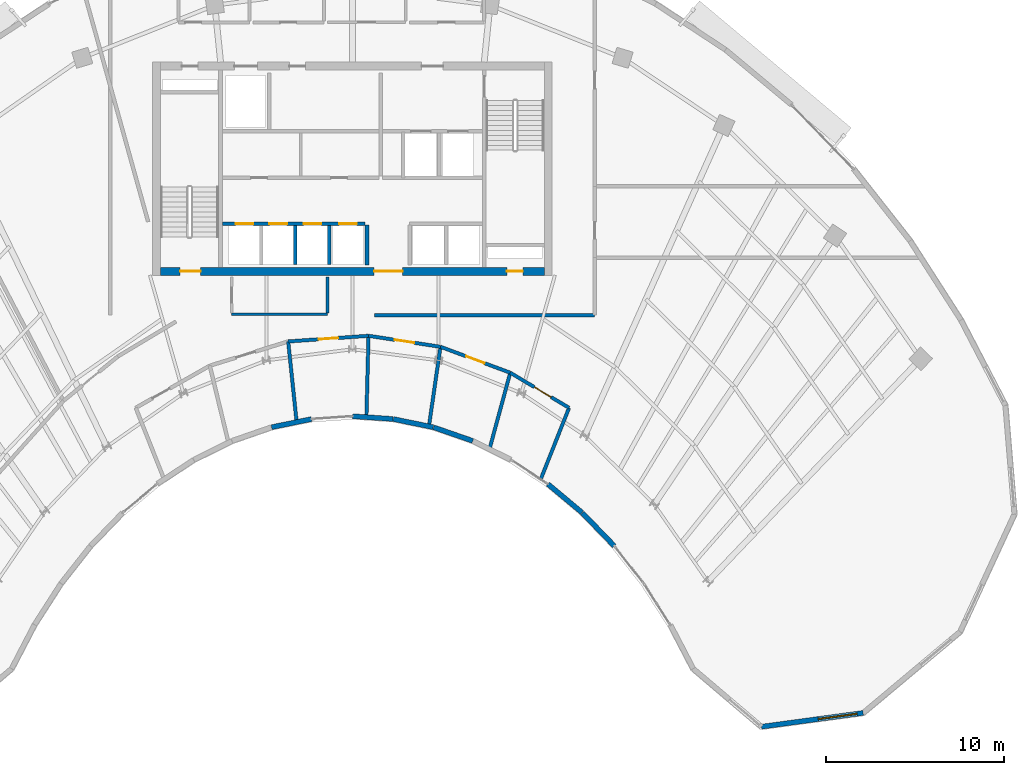
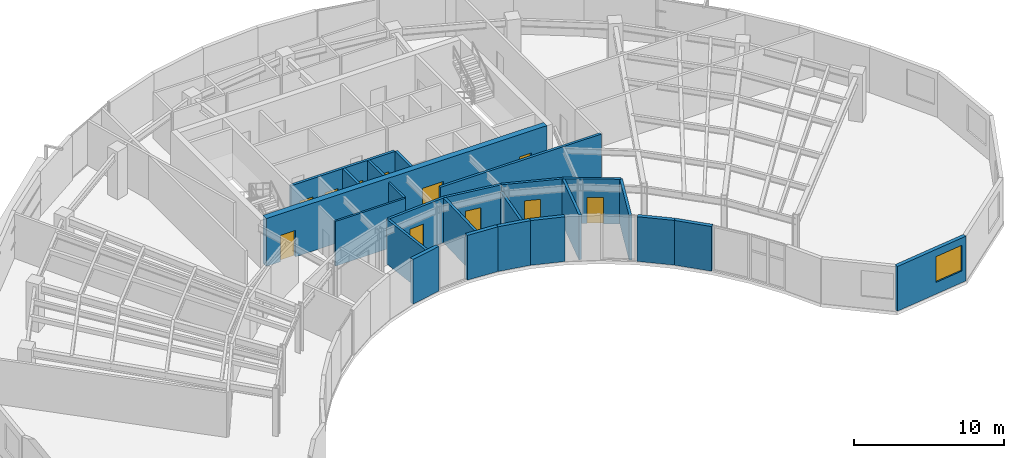
# One storey, part 9 of 14: 24 walls, 11 doors, 1 window, 12 openings.
"""IFC4 building model written with IfcOpenShell, lengths in metres."""

from ifc_helpers import new_model, si_unit, direction, frame, frame_2d, origin, place, context, subcontext, project, spatial, rectangle, extrude, source, transform, mapped, material, layer, layer_set, type_object, type_shapes, element, fill, save


model = new_model("IFC4")

# Units and contexts
model_context = context("Model", 3, precision=1e-05, world=origin(), true_north=direction((0.0, 1.0)))
body_context = subcontext(model_context, "Body", "Model", "MODEL_VIEW")
ifc_project = project(units=[si_unit("LENGTHUNIT", "METRE"), si_unit("AREAUNIT", "SQUARE_METRE"), si_unit("VOLUMEUNIT", "CUBIC_METRE"), si_unit("PLANEANGLEUNIT", "RADIAN"), si_unit("MASSUNIT", "GRAM", prefix="KILO")], contexts=[model_context])

# Site, building, storey
site_placement = place(None, origin())
site = spatial("IfcSite", under=ifc_project, at=site_placement, CompositionType="ELEMENT")
building_placement = place(site_placement, origin())
building = spatial("IfcBuilding", under=site, at=building_placement, Name="Breltana Convention Tower", CompositionType="ELEMENT")
storey_placement = place(building_placement, frame((0.0, 0.0, 215.699951171875)))
storey = spatial("IfcBuildingStorey", under=building, at=storey_placement, Name="L52", CompositionType="ELEMENT", Elevation=215.699951171875)

# Wall, openings, doors
ifc_material_1 = material(Name="Concrete C60/75", Category="concrete")
ifc_layer_1 = layer(ifc_material_1, 0.449951171875, Name="Concrete C60/75")
ifc_layer_set_1 = layer_set([ifc_layer_1], Name="Concrete C60/75")
wall_type_1 = type_object("IfcWallType", Name="SW-CORE-450", PredefinedType="SHEAR", material=ifc_layer_set_1)
shared_shape_1 = source(origin(), body_context, "Body", "SweptSolid", [
    extrude(rectangle(XDim=21.60009765625, YDim=0.449951171875, at=frame_2d((10.800048828125, 0.0))), origin(), (0.0, 0.0, 1.0), 3.900146484375),
])
wall_1_placement = place(storey_placement, frame((37.199951171875, 60.425048828125, 0.0), z_axis=(0.0, 0.0, 1.0), x_axis=(1.0, 0.0, 0.0)))
wall_1 = element("IfcWall", 1, at=wall_1_placement, inside=storey, type_object=wall_type_1, Name="L52 South Core Shear Wall", PredefinedType="SHEAR", context=body_context, shape_type="MappedRepresentation", body=[
    mapped(shared_shape_1, transform((0.0, 0.0, 0.0), scale=1.0)),
])
opening_1_placement = place(wall_1_placement, frame((1.10009765625, 0.0, 0.0)))
opening_1 = element("IfcOpeningElement", 2, at=opening_1_placement, cuts=wall_1, Name="Opening D-11", PredefinedType="OPENING", context=body_context, shape_type="SweptSolid", body=[
    extrude(rectangle(XDim=1.14990234375, YDim=2.14990234375, at=frame_2d((0.574951171875, 1.074951171875))), frame((0.0, 0.23486328125, 0.0), z_axis=(0.0, -1.0, 0.0), x_axis=(1.0, 0.0, 0.0)), (0.0, 0.0, 1.0), 0.469970703125),
])
opening_2_placement = place(wall_1_placement, frame((19.5, 0.0, 0.0)))
opening_2 = element("IfcOpeningElement", 3, at=opening_2_placement, cuts=wall_1, Name="Opening D-18", PredefinedType="OPENING", context=body_context, shape_type="SweptSolid", body=[
    extrude(rectangle(XDim=0.89990234375, YDim=2.10009765625, at=frame_2d((0.449951171875, 1.050048828125))), frame((0.0, 0.23486328125, 0.0), z_axis=(0.0, -1.0, 0.0), x_axis=(1.0, 0.0, 0.0)), (0.0, 0.0, 1.0), 0.469970703125),
])
opening_3_placement = place(wall_1_placement, frame((12.02001953125, 0.0, 0.0)))
opening_3 = element("IfcOpeningElement", 4, at=opening_3_placement, cuts=wall_1, Name="Opening D-02", PredefinedType="OPENING", context=body_context, shape_type="SweptSolid", body=[
    extrude(rectangle(XDim=1.60009765625, YDim=2.14990234375, at=frame_2d((0.800048828125, 1.074951171875))), frame((0.0, 0.23486328125, 0.0), z_axis=(0.0, -1.0, 0.0), x_axis=(1.0, 0.0, 0.0)), (0.0, 0.0, 1.0), 0.469970703125),
])
ifc_material_2 = material(Name="Steel Stair Exit Door", Category="steel")
door_type_1 = type_object("IfcDoorType", Name="DR-FD120-1150", OperationType="NOTDEFINED", PredefinedType="DOOR", material=ifc_material_2)
shared_shape_2 = source(origin(), body_context, "Body", "SweptSolid", [
    extrude(rectangle(XDim=1.14990234375, YDim=2.14990234375, at=frame_2d((0.574951171875, 1.074951171875))), frame((0.0, 0.02490234375, 0.0), z_axis=(0.0, -1.0, 0.0), x_axis=(1.0, 0.0, 0.0)), (0.0, 0.0, 1.0), 0.050048828125),
])
type_shapes(door_type_1, [shared_shape_2])
door_1_placement = place(opening_1_placement, origin())
door_1 = element("IfcDoor", 5, at=door_1_placement, inside=storey, type_object=door_type_1, Name="L52 interior door D-L52-ST1", OperationType="SINGLE_SWING_LEFT", OverallHeight=2.14990234375, OverallWidth=1.14990234375, PredefinedType="DOOR", context=body_context, shape_type="MappedRepresentation", body=[
    mapped(shared_shape_2, transform((0.0, 0.0, 0.0), scale=1.0)),
])
fill(opening_1, door_1)
ifc_material_3 = material(Name="Steel Riser Fire Door", Category="steel")
door_type_2 = type_object("IfcDoorType", Name="DR-FD60-900", OperationType="NOTDEFINED", PredefinedType="DOOR", material=ifc_material_3)
shared_shape_3 = source(origin(), body_context, "Body", "SweptSolid", [
    extrude(rectangle(XDim=0.89990234375, YDim=2.10009765625, at=frame_2d((0.449951171875, 1.050048828125))), frame((0.0, 0.02490234375, 0.0), z_axis=(0.0, -1.0, 0.0), x_axis=(1.0, 0.0, 0.0)), (0.0, 0.0, 1.0), 0.050048828125),
])
type_shapes(door_type_2, [shared_shape_3])
door_2_placement = place(opening_2_placement, origin())
door_2 = element("IfcDoor", 6, at=door_2_placement, inside=storey, type_object=door_type_2, Name="L52 Core Riser Access Door D-L52-RS2", OperationType="SINGLE_SWING_RIGHT", OverallHeight=2.10009765625, OverallWidth=0.89990234375, PredefinedType="DOOR", context=body_context, shape_type="MappedRepresentation", body=[
    mapped(shared_shape_3, transform((0.0, 0.0, 0.0), scale=1.0)),
])
fill(opening_2, door_2)
ifc_material_4 = material(Name="Steel Glazed Smoke-Control Door", Category="steel")
door_type_3 = type_object("IfcDoorType", Name="DR-DBL-FD90-1600", OperationType="DOUBLE_DOOR_SINGLE_SWING", PredefinedType="DOOR", material=ifc_material_4)
shared_shape_4 = source(origin(), body_context, "Body", "SweptSolid", [
    extrude(rectangle(XDim=1.60009765625, YDim=2.14990234375, at=frame_2d((0.800048828125, 1.074951171875))), frame((0.0, 0.02490234375, 0.0), z_axis=(0.0, -1.0, 0.0), x_axis=(1.0, 0.0, 0.0)), (0.0, 0.0, 1.0), 0.050048828125),
])
type_shapes(door_type_3, [shared_shape_4])
door_3_placement = place(opening_3_placement, origin())
door_3 = element("IfcDoor", 7, at=door_3_placement, inside=storey, type_object=door_type_3, Name="L52 interior door D-L52-LLB-S", OperationType="DOUBLE_DOOR_SINGLE_SWING", OverallHeight=2.14990234375, OverallWidth=1.60009765625, PredefinedType="DOOR", context=body_context, shape_type="MappedRepresentation", body=[
    mapped(shared_shape_4, transform((0.0, 0.0, 0.0), scale=1.0)),
])
fill(opening_3, door_3)

# Wall, opening, window
ifc_material_5 = material(Name="Limestone Buff Insulated Wall", Category="masonry")
ifc_layer_2 = layer(ifc_material_5, 0.280029296875, Name="Limestone Buff Insulated Wall")
ifc_layer_set_2 = layer_set([ifc_layer_2], Name="Limestone Buff Insulated Wall")
wall_type_2 = type_object("IfcWallType", Name="WL-EXT-NOSE-280", PredefinedType="SOLIDWALL", material=ifc_layer_set_2)
shared_shape_5 = source(origin(), body_context, "Body", "SweptSolid", [
    extrude(rectangle(XDim=5.771240234375, YDim=0.280029296875, at=frame_2d((2.8857421875, 0.0))), origin(), (0.0, 0.0, 1.0), 3.64013671875),
])
wall_2_placement = place(storey_placement, frame((76.74951171875, 35.559814453125, 0.0), z_axis=(0.0, 0.0, 1.0), x_axis=(-0.990933615537, -0.134352408237, 0.0)))
wall_2 = element("IfcWall", 8, at=wall_2_placement, inside=storey, type_object=wall_type_2, Name="L52 curved limestone nose wall E4", PredefinedType="SOLIDWALL", context=body_context, shape_type="MappedRepresentation", body=[
    mapped(shared_shape_5, transform((0.0, 0.0, 0.0), scale=1.0)),
])
opening_4_placement = place(wall_2_placement, frame((0.343017578125, 0.0, 0.949951171875)))
opening_4 = element("IfcOpeningElement", 9, at=opening_4_placement, cuts=wall_2, Name="Opening W-03", PredefinedType="OPENING", context=body_context, shape_type="SweptSolid", body=[
    extrude(rectangle(XDim=2.199951171875, YDim=2.10009765625, at=frame_2d((1.10009765625, 1.050048828125))), frame((0.0, 0.14990234375, 0.0), z_axis=(0.0, -1.0, 0.0), x_axis=(1.0, 0.0, 0.0)), (0.0, 0.0, 1.0), 0.300048828125),
])
ifc_material_6 = material(Name="Glass Low-E Insulated Window", Category="glass")
window_type = type_object("IfcWindowType", Name="WN-NOSE-2200X2100", PartitioningType="TRIPLE_PANEL_VERTICAL", PredefinedType="WINDOW", material=ifc_material_6)
shared_shape_6 = source(origin(), body_context, "Body", "SweptSolid", [
    extrude(rectangle(XDim=2.199951171875, YDim=2.10009765625, at=frame_2d((1.10009765625, 1.050048828125))), frame((0.0, 0.030029296875, 0.0), z_axis=(0.0, -1.0, 0.0), x_axis=(1.0, 0.0, 0.0)), (0.0, 0.0, 1.0), 0.06005859375),
])
type_shapes(window_type, [shared_shape_6])
window_placement = place(opening_4_placement, origin())
window = element("IfcWindow", 10, at=window_placement, inside=storey, type_object=window_type, Name="L52 nose window E4", OverallHeight=2.10009765625, OverallWidth=2.199951171875, PartitioningType="TRIPLE_PANEL_VERTICAL", PredefinedType="WINDOW", context=body_context, shape_type="MappedRepresentation", body=[
    mapped(shared_shape_6, transform((0.0, 0.0, 0.0), scale=1.0)),
])
fill(opening_4, window)

# Walls
shared_shape_7 = source(origin(), body_context, "Body", "SweptSolid", [
    extrude(rectangle(XDim=2.587646484375, YDim=0.280029296875, at=frame_2d((1.2939453125, 0.0))), origin(), (0.0, 0.0, 1.0), 3.64013671875),
])
wall_3_placement = place(storey_placement, frame((62.739501953125, 44.96630859375, 0.0), z_axis=(0.0, 0.0, 1.0), x_axis=(-0.694687114507, 0.719312041424, 0.0)))
element("IfcWall", 11, at=wall_3_placement, inside=storey, type_object=wall_type_2, Name="L52 curved limestone nose wall E7", PredefinedType="SOLIDWALL", context=body_context, shape_type="MappedRepresentation", body=[
    mapped(shared_shape_7, transform((0.0, 0.0, 0.0), scale=1.0)),
])
shared_shape_8 = source(origin(), body_context, "Body", "SweptSolid", [
    extrude(rectangle(XDim=2.51123046875, YDim=0.280029296875, at=frame_2d((1.255615234375, 0.0))), origin(), (0.0, 0.0, 1.0), 3.64013671875),
])
wall_4_placement = place(storey_placement, frame((60.927734375, 46.8408203125, 0.0), z_axis=(0.0, 0.0, 1.0), x_axis=(-0.767910416122, 0.640557251782, 0.0)))
element("IfcWall", 12, at=wall_4_placement, inside=storey, type_object=wall_type_2, Name="L52 curved limestone nose wall E8", PredefinedType="SOLIDWALL", context=body_context, shape_type="MappedRepresentation", body=[
    mapped(shared_shape_8, transform((0.0, 0.0, 0.0), scale=1.0)),
])
shared_shape_9 = source(origin(), body_context, "Body", "SweptSolid", [
    extrude(rectangle(XDim=2.327880859375, YDim=0.280029296875, at=frame_2d((1.1640625, 0.0))), origin(), (0.0, 0.0, 1.0), 3.64013671875),
])
wall_5_placement = place(storey_placement, frame((54.7724609375, 50.87646484375, 0.0), z_axis=(0.0, 0.0, 1.0), x_axis=(-0.944872545641, 0.32743834915, 0.0)))
element("IfcWall", 13, at=wall_5_placement, inside=storey, type_object=wall_type_2, Name="L52 curved limestone nose wall E10", PredefinedType="SOLIDWALL", context=body_context, shape_type="MappedRepresentation", body=[
    mapped(shared_shape_9, transform((0.0, 0.0, 0.0), scale=1.0)),
])
shared_shape_10 = source(origin(), body_context, "Body", "SweptSolid", [
    extrude(rectangle(XDim=2.2919921875, YDim=0.280029296875, at=frame_2d((1.14599609375, 0.0))), origin(), (0.0, 0.0, 1.0), 3.64013671875),
])
for number, where, z_axis, x_axis, name in (
    (14, (52.55029296875, 51.64501953125, 0.0), (0.0, 0.0, 1.0), (-0.979635482689, 0.200784264963, 0.0), "L52 curved limestone nose wall E11"),
    (15, (45.695068359375, 52.105224609375, 0.0), (0.0, 0.0, 1.0), (-0.979635482689, -0.200784264963, 0.0), "L52 curved limestone nose wall E13"),
):
    element("IfcWall", number, at=place(storey_placement, frame(where, z_axis=z_axis, x_axis=x_axis)), inside=storey, type_object=wall_type_2, Name=name, PredefinedType="SOLIDWALL", context=body_context, shape_type="MappedRepresentation", body=[
        mapped(shared_shape_10, transform((0.0, 0.0, 0.0), scale=1.0)),
    ])
shared_shape_11 = source(origin(), body_context, "Body", "SweptSolid", [
    extrude(rectangle(XDim=2.27392578125, YDim=0.280029296875, at=frame_2d((1.136962890625, 0.0))), origin(), (0.0, 0.0, 1.0), 3.64013671875),
])
wall_6_placement = place(storey_placement, frame((50.281005859375, 52.108642578125, 0.0), z_axis=(0.0, 0.0, 1.0), x_axis=(-0.997702696995, 0.067744582138, 0.0)))
element("IfcWall", 16, at=wall_6_placement, inside=storey, type_object=wall_type_2, Name="L52 curved limestone nose wall E12", PredefinedType="SOLIDWALL", context=body_context, shape_type="MappedRepresentation", body=[
    mapped(shared_shape_11, transform((0.0, 0.0, 0.0), scale=1.0)),
])
ifc_material_7 = material(Name="Autoclaved Aerated Concrete Block", Category="concrete")
ifc_layer_3 = layer(ifc_material_7, 0.199951171875, Name="Autoclaved Aerated Concrete Block")
ifc_layer_set_3 = layer_set([ifc_layer_3], Name="Autoclaved Aerated Concrete Block")
wall_type_3 = type_object("IfcWallType", Name="WL-SHAFT-200", PredefinedType="SOLIDWALL", material=ifc_layer_set_3)
shared_shape_12 = source(origin(), body_context, "Body", "SweptSolid", [
    extrude(rectangle(XDim=2.239990234375, YDim=0.199951171875, at=frame_2d((1.1201171875, 0.0))), origin(), (0.0, 0.0, 1.0), 3.64013671875),
])
wall_7_placement = place(storey_placement, frame((48.820068359375, 60.780029296875, 0.0), z_axis=(0.0, 0.0, 1.0), x_axis=(0.0, 1.0, 0.0)))
element("IfcWall", 17, at=wall_7_placement, inside=storey, type_object=wall_type_3, Name="L52 interior partition W-L52-PORT-W", PredefinedType="SOLIDWALL", context=body_context, shape_type="MappedRepresentation", body=[
    mapped(shared_shape_12, transform((0.0, 0.0, 0.0), scale=1.0)),
])

# Wall, openings, doors
shared_shape_13 = source(origin(), body_context, "Body", "SweptSolid", [
    extrude(rectangle(XDim=8.02001953125, YDim=0.199951171875, at=frame_2d((4.010009765625, 0.0))), origin(), (0.0, 0.0, 1.0), 3.64013671875),
])
wall_8_placement = place(storey_placement, frame((40.699951171875, 63.10009765625, 0.0), z_axis=(0.0, 0.0, 1.0), x_axis=(1.0, 0.0, 0.0)))
wall_8 = element("IfcWall", 18, at=wall_8_placement, inside=storey, type_object=wall_type_3, Name="L52 interior partition W-L52-SH-S-FRONT", PredefinedType="SOLIDWALL", context=body_context, shape_type="MappedRepresentation", body=[
    mapped(shared_shape_13, transform((0.0, 0.0, 0.0), scale=1.0)),
])
opening_5_placement = place(wall_8_placement, frame((0.719970703125, 0.0, 0.0)))
opening_5 = element("IfcOpeningElement", 19, at=opening_5_placement, cuts=wall_8, Name="Opening LD-04", PredefinedType="OPENING", context=body_context, shape_type="SweptSolid", body=[
    extrude(rectangle(XDim=1.0, YDim=2.14990234375, at=frame_2d((0.5, 1.074951171875))), frame((0.0, 0.10986328125, 0.0), z_axis=(0.0, -1.0, 0.0), x_axis=(1.0, 0.0, 0.0)), (0.0, 0.0, 1.0), 0.219970703125),
])
opening_6_placement = place(wall_8_placement, frame((2.6201171875, 0.0, 0.0)))
opening_6 = element("IfcOpeningElement", 20, at=opening_6_placement, cuts=wall_8, Name="Opening LD-04", PredefinedType="OPENING", context=body_context, shape_type="SweptSolid", body=[
    extrude(rectangle(XDim=1.0, YDim=2.14990234375, at=frame_2d((0.5, 1.074951171875))), frame((0.0, 0.10986328125, 0.0), z_axis=(0.0, -1.0, 0.0), x_axis=(1.0, 0.0, 0.0)), (0.0, 0.0, 1.0), 0.219970703125),
])
opening_7_placement = place(wall_8_placement, frame((4.550048828125, 0.0, 0.0)))
opening_7 = element("IfcOpeningElement", 21, at=opening_7_placement, cuts=wall_8, Name="Opening LD-04", PredefinedType="OPENING", context=body_context, shape_type="SweptSolid", body=[
    extrude(rectangle(XDim=1.0, YDim=2.14990234375, at=frame_2d((0.5, 1.074951171875))), frame((0.0, 0.10986328125, 0.0), z_axis=(0.0, -1.0, 0.0), x_axis=(1.0, 0.0, 0.0)), (0.0, 0.0, 1.0), 0.219970703125),
])
opening_8_placement = place(wall_8_placement, frame((6.550048828125, 0.0, 0.0)))
opening_8 = element("IfcOpeningElement", 22, at=opening_8_placement, cuts=wall_8, Name="Opening LD-04", PredefinedType="OPENING", context=body_context, shape_type="SweptSolid", body=[
    extrude(rectangle(XDim=1.0, YDim=2.14990234375, at=frame_2d((0.5, 1.074951171875))), frame((0.0, 0.10986328125, 0.0), z_axis=(0.0, -1.0, 0.0), x_axis=(1.0, 0.0, 0.0)), (0.0, 0.0, 1.0), 0.219970703125),
])
ifc_material_8 = material(Name="Stainless Steel Brushed", Category="steel")
door_type_4 = type_object("IfcDoorType", Name="DR-LD-PAX-1000", OperationType="DOUBLE_DOOR_SLIDING", PredefinedType="DOOR", material=ifc_material_8)
shared_shape_14 = source(origin(), body_context, "Body", "SweptSolid", [
    extrude(rectangle(XDim=1.0, YDim=2.14990234375, at=frame_2d((0.5, 1.074951171875))), frame((0.0, 0.02490234375, 0.0), z_axis=(0.0, -1.0, 0.0), x_axis=(1.0, 0.0, 0.0)), (0.0, 0.0, 1.0), 0.050048828125),
])
type_shapes(door_type_4, [shared_shape_14])
door_4_placement = place(opening_5_placement, origin())
door_4 = element("IfcDoor", 23, at=door_4_placement, inside=storey, type_object=door_type_4, Name="L52 Lift Landing Door D-L52-LD-S1", OperationType="DOUBLE_DOOR_SLIDING", OverallHeight=2.14990234375, OverallWidth=1.0, PredefinedType="DOOR", context=body_context, shape_type="MappedRepresentation", body=[
    mapped(shared_shape_14, transform((0.0, 0.0, 0.0), scale=1.0)),
])
fill(opening_5, door_4)
door_5_placement = place(opening_6_placement, origin())
door_5 = element("IfcDoor", 24, at=door_5_placement, inside=storey, type_object=door_type_4, Name="L52 Lift Landing Door D-L52-LD-S2", OperationType="DOUBLE_DOOR_SLIDING", OverallHeight=2.14990234375, OverallWidth=1.0, PredefinedType="DOOR", context=body_context, shape_type="MappedRepresentation", body=[
    mapped(shared_shape_14, transform((0.0, 0.0, 0.0), scale=1.0)),
])
fill(opening_6, door_5)
door_6_placement = place(opening_7_placement, origin())
door_6 = element("IfcDoor", 25, at=door_6_placement, inside=storey, type_object=door_type_4, Name="L52 Lift Landing Door D-L52-LD-S3", OperationType="DOUBLE_DOOR_SLIDING", OverallHeight=2.14990234375, OverallWidth=1.0, PredefinedType="DOOR", context=body_context, shape_type="MappedRepresentation", body=[
    mapped(shared_shape_14, transform((0.0, 0.0, 0.0), scale=1.0)),
])
fill(opening_7, door_6)
door_7_placement = place(opening_8_placement, origin())
door_7 = element("IfcDoor", 26, at=door_7_placement, inside=storey, type_object=door_type_4, Name="L52 Lift Landing Door D-L52-LD-S4", OperationType="DOUBLE_DOOR_SLIDING", OverallHeight=2.14990234375, OverallWidth=1.0, PredefinedType="DOOR", context=body_context, shape_type="MappedRepresentation", body=[
    mapped(shared_shape_14, transform((0.0, 0.0, 0.0), scale=1.0)),
])
fill(opening_8, door_7)

# Walls
shared_shape_15 = source(origin(), body_context, "Body", "SweptSolid", [
    extrude(rectangle(XDim=2.199951171875, YDim=0.199951171875, at=frame_2d((1.10009765625, 0.0))), origin(), (0.0, 0.0, 1.0), 3.64013671875),
])
for number, where, z_axis, x_axis, name in (
    (27, (44.77001953125, 60.800048828125, 0.0), (0.0, 0.0, 1.0), (0.0, 1.0, 0.0), "L52 interior partition W-L52-SH-S-DIV2"),
    (28, (46.699951171875, 60.800048828125, 0.0), (0.0, 0.0, 1.0), (0.0, 1.0, 0.0), "L52 interior partition W-L52-SH-S-DIV3"),
):
    element("IfcWall", number, at=place(storey_placement, frame(where, z_axis=z_axis, x_axis=x_axis)), inside=storey, type_object=wall_type_3, Name=name, PredefinedType="SOLIDWALL", context=body_context, shape_type="MappedRepresentation", body=[
        mapped(shared_shape_15, transform((0.0, 0.0, 0.0), scale=1.0)),
    ])
ifc_material_9 = material(Name="Gypsum Acoustic Drywall Partition")
ifc_layer_4 = layer(ifc_material_9, 0.14990234375, Name="Gypsum Acoustic Drywall Partition")
ifc_layer_set_4 = layer_set([ifc_layer_4], Name="Gypsum Acoustic Drywall Partition")
wall_type_4 = type_object("IfcWallType", Name="WL-PART-150", PredefinedType="PARTITIONING", material=ifc_layer_set_4)
shared_shape_16 = source(origin(), body_context, "Body", "SweptSolid", [
    extrude(rectangle(XDim=5.400146484375, YDim=0.14990234375, at=frame_2d((2.7001953125, 0.0))), origin(), (0.0, 0.0, 1.0), 3.64013671875),
])
wall_9_placement = place(storey_placement, frame((41.199951171875, 58.0, 0.0), z_axis=(0.0, 0.0, 1.0), x_axis=(1.0, 0.0, 0.0)))
element("IfcWall", 29, at=wall_9_placement, inside=storey, type_object=wall_type_4, Name="L52 interior partition W-L52-CRSC-S", PredefinedType="PARTITIONING", context=body_context, shape_type="MappedRepresentation", body=[
    mapped(shared_shape_16, transform((0.0, 0.0, 0.0), scale=1.0)),
])
shared_shape_17 = source(origin(), body_context, "Body", "SweptSolid", [
    extrude(rectangle(XDim=2.03271484375, YDim=0.14990234375, at=frame_2d((1.016357421875, 0.0))), origin(), (0.0, 0.0, 1.0), 3.64013671875),
])
wall_10_placement = place(storey_placement, frame((46.60009765625, 58.0673828125, 0.0), z_axis=(0.0, 0.0, 1.0), x_axis=(0.0, 1.0, 0.0)))
element("IfcWall", 30, at=wall_10_placement, inside=storey, type_object=wall_type_4, Name="L52 interior partition W-L52-CRSC-E", PredefinedType="PARTITIONING", context=body_context, shape_type="MappedRepresentation", body=[
    mapped(shared_shape_17, transform((0.0, 0.0, 0.0), scale=1.0)),
])
ifc_material_10 = material(Name="Gypsum Acoustic Hotel Wall")
ifc_layer_5 = layer(ifc_material_10, 0.195068359375, Name="Gypsum Acoustic Hotel Wall")
ifc_layer_set_5 = layer_set([ifc_layer_5], Name="Gypsum Acoustic Hotel Wall")
wall_type_5 = type_object("IfcWallType", Name="WL-HOTEL-200", PredefinedType="PARTITIONING", material=ifc_layer_set_5)
shared_shape_18 = source(origin(), body_context, "Body", "SweptSolid", [
    extrude(rectangle(XDim=4.3203125, YDim=0.195068359375, at=frame_2d((2.16015625, 0.0))), origin(), (0.0, 0.0, 1.0), 3.64013671875),
])
wall_11_placement = place(storey_placement, frame((58.603515625, 48.72265625, 0.0), z_axis=(0.0, 0.0, 1.0), x_axis=(0.368846295269, 0.929490403644, 0.0)))
element("IfcWall", 31, at=wall_11_placement, inside=storey, type_object=wall_type_5, Name="L52 interior partition W-L52-ES6-RB", PredefinedType="PARTITIONING", context=body_context, shape_type="MappedRepresentation", body=[
    mapped(shared_shape_18, transform((0.0, 0.0, 0.0), scale=1.0)),
])
shared_shape_19 = source(origin(), body_context, "Body", "SweptSolid", [
    extrude(rectangle(XDim=4.55517578125, YDim=0.195068359375, at=frame_2d((2.277587890625, 0.0))), origin(), (0.0, 0.0, 1.0), 3.64013671875),
])
wall_12_placement = place(storey_placement, frame((44.859375, 51.944091796875, 0.0), z_axis=(0.0, 0.0, 1.0), x_axis=(-0.104299759329, 0.994545906534, 0.0)))
element("IfcWall", 32, at=wall_12_placement, inside=storey, type_object=wall_type_5, Name="L52 interior partition W-L52-ES2-RB", PredefinedType="PARTITIONING", context=body_context, shape_type="MappedRepresentation", body=[
    mapped(shared_shape_19, transform((0.0, 0.0, 0.0), scale=1.0)),
])

# Wall, opening, door
shared_shape_20 = source(origin(), body_context, "Body", "SweptSolid", [
    extrude(rectangle(XDim=4.53369140625, YDim=0.195068359375, at=frame_2d((2.266845703125, 0.0))), origin(), (0.0, 0.0, 1.0), 3.64013671875),
])
wall_13_placement = place(storey_placement, frame((44.38427734375, 56.474365234375, 0.0), z_axis=(0.0, 0.0, 1.0), x_axis=(0.997542735031, 0.070060629361, 0.0)))
wall_13 = element("IfcWall", 33, at=wall_13_placement, inside=storey, type_object=wall_type_5, Name="L52 interior partition W-L52-ES3-COR", PredefinedType="PARTITIONING", context=body_context, shape_type="MappedRepresentation", body=[
    mapped(shared_shape_20, transform((0.0, 0.0, 0.0), scale=1.0)),
])
opening_9_placement = place(wall_13_placement, frame((1.716796875, 0.0, 0.0)))
opening_9 = element("IfcOpeningElement", 34, at=opening_9_placement, cuts=wall_13, Name="Opening D-12", PredefinedType="OPENING", context=body_context, shape_type="SweptSolid", body=[
    extrude(rectangle(XDim=1.10009765625, YDim=2.14990234375, at=frame_2d((0.550048828125, 1.074951171875))), frame((0.0, 0.107421875, 0.0), z_axis=(0.0, -1.0, 0.0), x_axis=(1.0, 0.0, 0.0)), (0.0, 0.0, 1.0), 0.215087890625),
])
ifc_material_11 = material(Name="Timber Oak Acoustic Door", Category="wood")
door_type_5 = type_object("IfcDoorType", Name="DR-INT-1100", OperationType="NOTDEFINED", PredefinedType="DOOR", material=ifc_material_11)
shared_shape_21 = source(origin(), body_context, "Body", "SweptSolid", [
    extrude(rectangle(XDim=1.10009765625, YDim=2.14990234375, at=frame_2d((0.550048828125, 1.074951171875))), frame((0.0, 0.02490234375, 0.0), z_axis=(0.0, -1.0, 0.0), x_axis=(1.0, 0.0, 0.0)), (0.0, 0.0, 1.0), 0.050048828125),
])
type_shapes(door_type_5, [shared_shape_21])
door_8_placement = place(opening_9_placement, origin())
door_8 = element("IfcDoor", 35, at=door_8_placement, inside=storey, type_object=door_type_5, Name="L52 interior door D-L52-ES3", OperationType="SINGLE_SWING_RIGHT", OverallHeight=2.14990234375, OverallWidth=1.10009765625, PredefinedType="DOOR", context=body_context, shape_type="MappedRepresentation", body=[
    mapped(shared_shape_21, transform((0.0, 0.0, 0.0), scale=1.0)),
])
fill(opening_9, door_8)

# Wall
shared_shape_22 = source(origin(), body_context, "Body", "SweptSolid", [
    extrude(rectangle(XDim=4.573486328125, YDim=0.195068359375, at=frame_2d((2.28662109375, 0.0))), origin(), (0.0, 0.0, 1.0), 3.64013671875),
])
wall_14_placement = place(storey_placement, frame((48.78759765625, 52.219970703125, 0.0), z_axis=(0.0, 0.0, 1.0), x_axis=(0.026049788838, 0.99966064667, 0.0)))
element("IfcWall", 36, at=wall_14_placement, inside=storey, type_object=wall_type_5, Name="L52 interior partition W-L52-ES3-RB", PredefinedType="PARTITIONING", context=body_context, shape_type="MappedRepresentation", body=[
    mapped(shared_shape_22, transform((0.0, 0.0, 0.0), scale=1.0)),
])

# Wall, opening, door
shared_shape_23 = source(origin(), body_context, "Body", "SweptSolid", [
    extrude(rectangle(XDim=4.097412109375, YDim=0.195068359375, at=frame_2d((2.048828125, 0.0))), origin(), (0.0, 0.0, 1.0), 3.64013671875),
])
wall_15_placement = place(storey_placement, frame((48.90673828125, 56.7919921875, 0.0), z_axis=(0.0, 0.0, 1.0), x_axis=(0.988545320847, -0.150924314249, 0.0)))
wall_15 = element("IfcWall", 37, at=wall_15_placement, inside=storey, type_object=wall_type_5, Name="L52 interior partition W-L52-ES4-COR", PredefinedType="PARTITIONING", context=body_context, shape_type="MappedRepresentation", body=[
    mapped(shared_shape_23, transform((0.0, 0.0, 0.0), scale=1.0)),
])
opening_10_placement = place(wall_15_placement, frame((1.498779296875, 0.0, 0.0)))
opening_10 = element("IfcOpeningElement", 38, at=opening_10_placement, cuts=wall_15, Name="Opening D-12", PredefinedType="OPENING", context=body_context, shape_type="SweptSolid", body=[
    extrude(rectangle(XDim=1.10009765625, YDim=2.14990234375, at=frame_2d((0.550048828125, 1.074951171875))), frame((0.0, 0.107421875, 0.0), z_axis=(0.0, -1.0, 0.0), x_axis=(1.0, 0.0, 0.0)), (0.0, 0.0, 1.0), 0.215087890625),
])
door_9_placement = place(opening_10_placement, origin())
door_9 = element("IfcDoor", 39, at=door_9_placement, inside=storey, type_object=door_type_5, Name="L52 interior door D-L52-ES4", OperationType="SINGLE_SWING_LEFT", OverallHeight=2.14990234375, OverallWidth=1.10009765625, PredefinedType="DOOR", context=body_context, shape_type="MappedRepresentation", body=[
    mapped(shared_shape_21, transform((0.0, 0.0, 0.0), scale=1.0)),
])
fill(opening_10, door_9)

# Wall
shared_shape_24 = source(origin(), body_context, "Body", "SweptSolid", [
    extrude(rectangle(XDim=4.515869140625, YDim=0.195068359375, at=frame_2d((2.2578125, 0.0))), origin(), (0.0, 0.0, 1.0), 3.0849609375),
])
wall_16_placement = place(storey_placement, frame((52.30908203125, 51.70458984375, 0.0), z_axis=(0.0, 0.0, 1.0), x_axis=(0.143540347267, 0.989644465809, 0.0)))
element("IfcWall", 40, at=wall_16_placement, inside=storey, type_object=wall_type_5, Name="L52 interior partition W-L52-ES4-RB", PredefinedType="PARTITIONING", context=body_context, shape_type="MappedRepresentation", body=[
    mapped(shared_shape_24, transform((0.0, 0.0, 0.0), scale=1.0)),
])

# Wall, opening, door
shared_shape_25 = source(origin(), body_context, "Body", "SweptSolid", [
    extrude(rectangle(XDim=4.19091796875, YDim=0.195068359375, at=frame_2d((2.095458984375, 0.0))), origin(), (0.0, 0.0, 1.0), 3.64013671875),
])
wall_17_placement = place(storey_placement, frame((52.957275390625, 56.173583984375, 0.0), z_axis=(0.0, 0.0, 1.0), x_axis=(0.937361695407, -0.348357649527, 0.0)))
wall_17 = element("IfcWall", 41, at=wall_17_placement, inside=storey, type_object=wall_type_5, Name="L52 interior partition W-L52-ES5-COR", PredefinedType="PARTITIONING", context=body_context, shape_type="MappedRepresentation", body=[
    mapped(shared_shape_25, transform((0.0, 0.0, 0.0), scale=1.0)),
])
opening_11_placement = place(wall_17_placement, frame((1.54541015625, 0.0, 0.0)))
opening_11 = element("IfcOpeningElement", 42, at=opening_11_placement, cuts=wall_17, Name="Opening D-12", PredefinedType="OPENING", context=body_context, shape_type="SweptSolid", body=[
    extrude(rectangle(XDim=1.10009765625, YDim=2.14990234375, at=frame_2d((0.550048828125, 1.074951171875))), frame((0.0, 0.107421875, 0.0), z_axis=(0.0, -1.0, 0.0), x_axis=(1.0, 0.0, 0.0)), (0.0, 0.0, 1.0), 0.215087890625),
])
door_10_placement = place(opening_11_placement, origin())
door_10 = element("IfcDoor", 43, at=door_10_placement, inside=storey, type_object=door_type_5, Name="L52 interior door D-L52-ES5", OperationType="SINGLE_SWING_RIGHT", OverallHeight=2.14990234375, OverallWidth=1.10009765625, PredefinedType="DOOR", context=body_context, shape_type="MappedRepresentation", body=[
    mapped(shared_shape_21, transform((0.0, 0.0, 0.0), scale=1.0)),
])
fill(opening_11, door_10)

# Wall
shared_shape_26 = source(origin(), body_context, "Body", "SweptSolid", [
    extrude(rectangle(XDim=4.44921875, YDim=0.195068359375, at=frame_2d((2.224609375, 0.0))), origin(), (0.0, 0.0, 1.0), 3.64013671875),
])
wall_18_placement = place(storey_placement, frame((55.719482421875, 50.419921875, 0.0), z_axis=(0.0, 0.0, 1.0), x_axis=(0.262123660516, 0.965034292965, 0.0)))
element("IfcWall", 44, at=wall_18_placement, inside=storey, type_object=wall_type_5, Name="L52 interior partition W-L52-ES5-RB", PredefinedType="PARTITIONING", context=body_context, shape_type="MappedRepresentation", body=[
    mapped(shared_shape_26, transform((0.0, 0.0, 0.0), scale=1.0)),
])

# Wall, opening, door
shared_shape_27 = source(origin(), body_context, "Body", "SweptSolid", [
    extrude(rectangle(XDim=3.855712890625, YDim=0.195068359375, at=frame_2d((1.927734375, 0.0))), origin(), (0.0, 0.0, 1.0), 3.64013671875),
])
wall_19_placement = place(storey_placement, frame((56.8857421875, 54.713623046875, 0.0), z_axis=(0.0, 0.0, 1.0), x_axis=(0.858797511375, -0.512315171019, 0.0)))
wall_19 = element("IfcWall", 45, at=wall_19_placement, inside=storey, type_object=wall_type_5, Name="L52 interior partition W-L52-ES6-COR", PredefinedType="PARTITIONING", context=body_context, shape_type="MappedRepresentation", body=[
    mapped(shared_shape_27, transform((0.0, 0.0, 0.0), scale=1.0)),
])
opening_12_placement = place(wall_19_placement, frame((1.577880859375, 0.0, 0.0)))
opening_12 = element("IfcOpeningElement", 46, at=opening_12_placement, cuts=wall_19, Name="Opening D-12", PredefinedType="OPENING", context=body_context, shape_type="SweptSolid", body=[
    extrude(rectangle(XDim=1.10009765625, YDim=2.14990234375, at=frame_2d((0.550048828125, 1.074951171875))), frame((0.0, 0.107421875, 0.0), z_axis=(0.0, -1.0, 0.0), x_axis=(1.0, 0.0, 0.0)), (0.0, 0.0, 1.0), 0.215087890625),
])
door_11_placement = place(opening_12_placement, origin())
door_11 = element("IfcDoor", 47, at=door_11_placement, inside=storey, type_object=door_type_5, Name="L52 interior door D-L52-ES6", OperationType="SINGLE_SWING_LEFT", OverallHeight=2.14990234375, OverallWidth=1.10009765625, PredefinedType="DOOR", context=body_context, shape_type="MappedRepresentation", body=[
    mapped(shared_shape_21, transform((0.0, 0.0, 0.0), scale=1.0)),
])
fill(opening_12, door_11)

# Wall
shared_shape_28 = source(origin(), body_context, "Body", "SweptSolid", [
    extrude(rectangle(XDim=12.389892578125, YDim=0.195068359375, at=frame_2d((6.19482421875, 0.0))), origin(), (0.0, 0.0, 1.0), 3.64013671875),
])
wall_20_placement = place(storey_placement, frame((49.25, 57.9599609375, 0.0), z_axis=(0.0, 0.0, 1.0), x_axis=(1.0, 0.0, 0.0)))
element("IfcWall", 48, at=wall_20_placement, inside=storey, type_object=wall_type_5, Name="L52 interior partition W-L52-Z45-CSE", PredefinedType="PARTITIONING", context=body_context, shape_type="MappedRepresentation", body=[
    mapped(shared_shape_28, transform((0.0, 0.0, 0.0), scale=1.0)),
])

save(model, "model.ifc")
